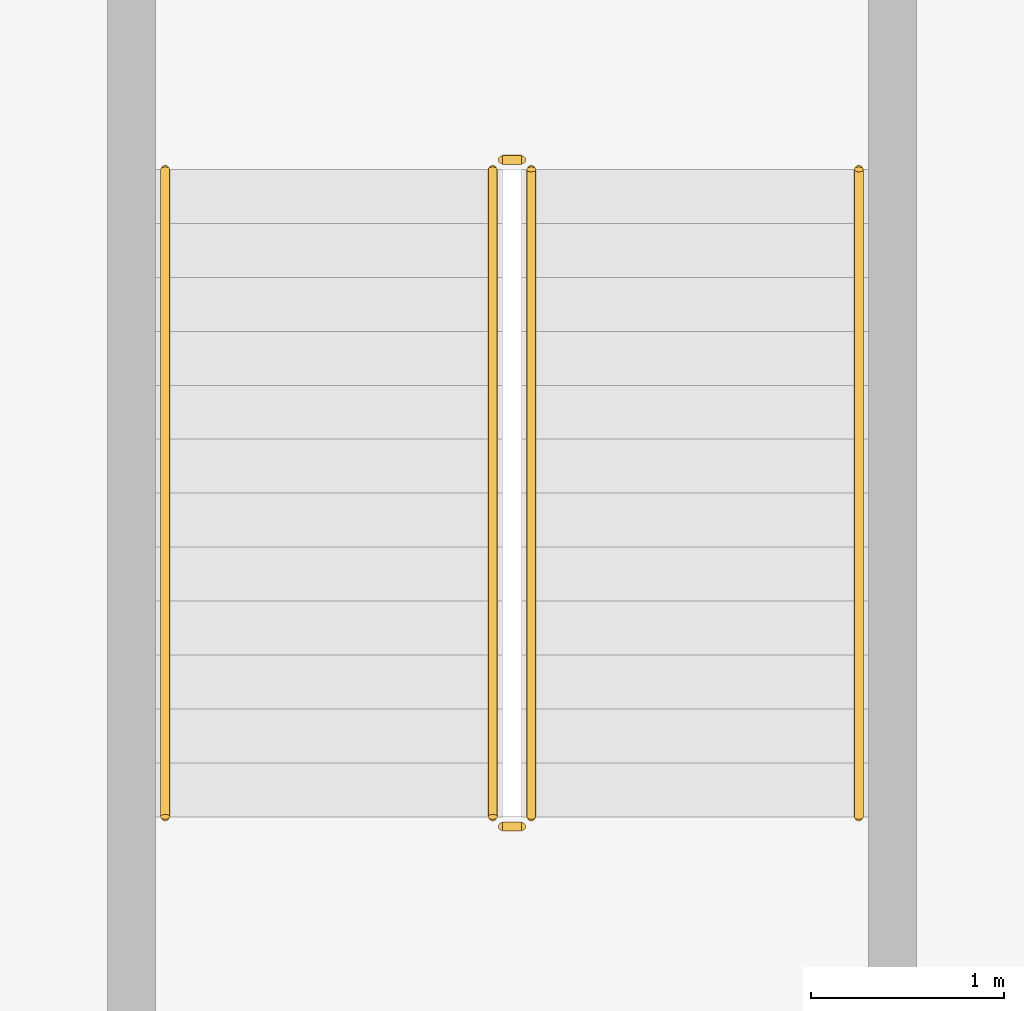
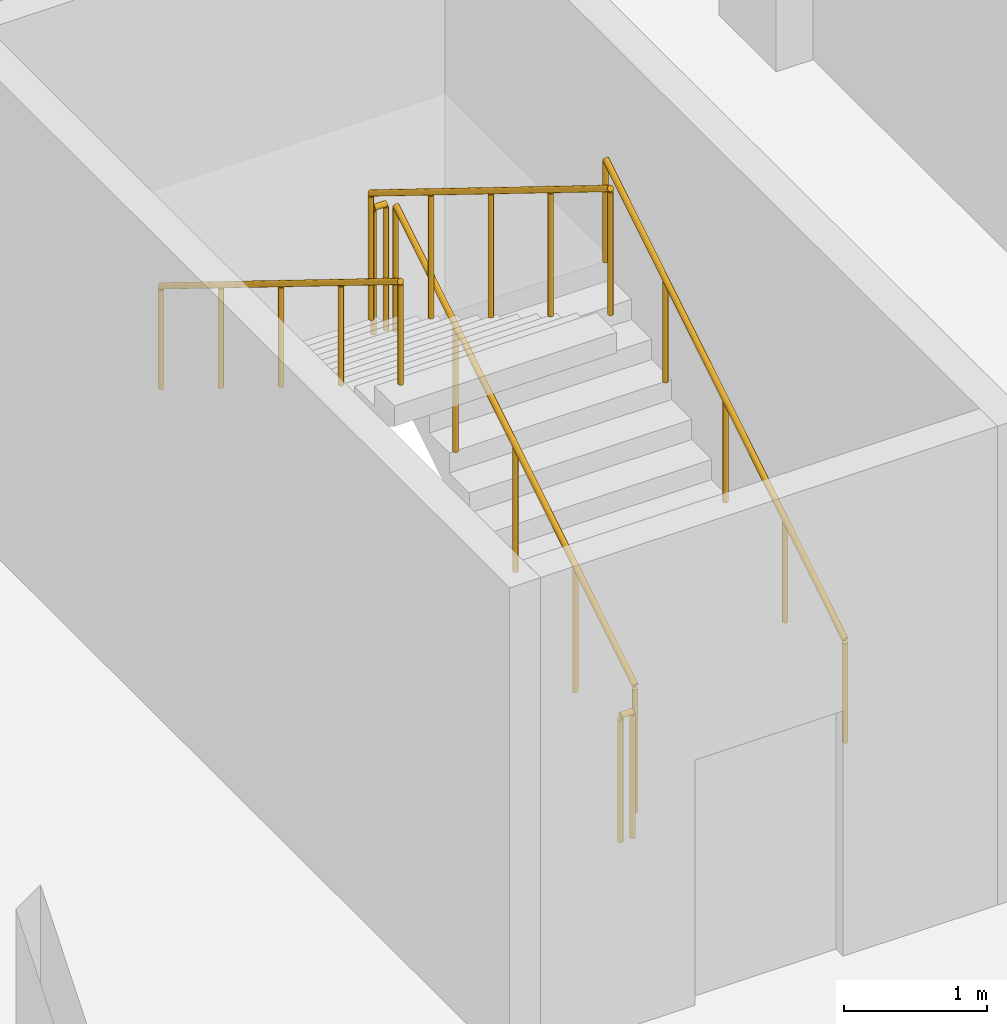
# One storey, part 37 of 38: 6 railings.
"""IFC4 building model written with IfcOpenShell, lengths in metres."""

from ifc_helpers import new_model, si_unit, direction, frame, origin, origin_2d, place, context, subcontext, project, spatial, circle, extrude, material, type_object, element, save


model = new_model("IFC4")

# Units and contexts
model_context = context("Model", 3, precision=1e-05, world=origin(), true_north=direction((0.0, 1.0)))
body_context = subcontext(model_context, "Body", "Model", "MODEL_VIEW")
ifc_project = project(units=[si_unit("LENGTHUNIT", "METRE"), si_unit("AREAUNIT", "SQUARE_METRE"), si_unit("VOLUMEUNIT", "CUBIC_METRE"), si_unit("PLANEANGLEUNIT", "RADIAN"), si_unit("MASSUNIT", "GRAM", prefix="KILO")], contexts=[model_context])

# Site, building, storey
site_placement = place(None, origin())
site = spatial("IfcSite", under=ifc_project, at=site_placement, CompositionType="ELEMENT")
building_placement = place(site_placement, origin())
building = spatial("IfcBuilding", under=site, at=building_placement, Name="Kilnfold Tower and Market Hall", CompositionType="ELEMENT")
storey_placement = place(building_placement, frame((0.0, 0.0, 9.0)))
storey = spatial("IfcBuildingStorey", under=building, at=storey_placement, Name="L01", CompositionType="ELEMENT", Elevation=9.0)

# Railings
ifc_material_1 = material(Name="Steel S355", Category="steel")
railing_type_1 = type_object("IfcRailingType", Name="HALL STAIR GUARD 1100", PredefinedType="GUARDRAIL", material=ifc_material_1)
railing_1_placement = place(storey_placement, frame((-12.550048828125, 46.699951171875, 0.173095703125)))
element("IfcRailing", 1, at=railing_1_placement, inside=storey, type_object=railing_type_1, Name="L01 MS4 stair guard 1", PredefinedType="GUARDRAIL", context=body_context, shape_type="SweptSolid", body=[
    extrude(circle(Radius=0.02392578125, at=origin_2d()), frame((0.0, 0.0, 1.076171875), z_axis=(0.0, 0.850623216509, 0.525775754039), x_axis=(-1.0, 0.0, 0.0)), (0.0, 0.0, 1.0), 3.9501953125),
    extrude(circle(Radius=0.02099609375, at=origin_2d()), origin(), (0.0, 0.0, 1.0), 1.052001953125),
    extrude(circle(Radius=0.02099609375, at=origin_2d()), frame((0.0, 0.840087890625, 0.519287109375)), (0.0, 0.0, 1.0), 1.052001953125),
    extrude(circle(Radius=0.02099609375, at=origin_2d()), frame((0.0, 1.68017578125, 1.03857421875)), (0.0, 0.0, 1.0), 1.052001953125),
    extrude(circle(Radius=0.02099609375, at=origin_2d()), frame((0.0, 2.52001953125, 1.5576171875)), (0.0, 0.0, 1.0), 1.052001953125),
    extrude(circle(Radius=0.02099609375, at=origin_2d()), frame((0.0, 3.360107421875, 2.076904296875)), (0.0, 0.0, 1.0), 1.052001953125),
])
railing_2_placement = place(storey_placement, frame((-12.60009765625, 50.110107421875, 2.25)))
element("IfcRailing", 2, at=railing_2_placement, inside=storey, type_object=railing_type_1, Name="L01 MS4 stair guard 2", PredefinedType="GUARDRAIL", context=body_context, shape_type="SweptSolid", body=[
    extrude(circle(Radius=0.02392578125, at=origin_2d()), frame((0.0, 0.0, 1.076171875), z_axis=(-1.0, 0.0, 0.0), x_axis=(0.0, -1.0, 0.0)), (0.0, 0.0, 1.0), 0.099853515625),
    extrude(circle(Radius=0.02099609375, at=origin_2d()), origin(), (0.0, 0.0, 1.0), 1.052001953125),
    extrude(circle(Radius=0.02099609375, at=origin_2d()), frame((-0.099853515625, 0.0, 0.0)), (0.0, 0.0, 1.0), 1.052001953125),
])
railing_3_placement = place(storey_placement, frame((-12.75, 50.06005859375, 2.423095703125)))
element("IfcRailing", 3, at=railing_3_placement, inside=storey, type_object=railing_type_1, Name="L01 MS4 stair guard 3", PredefinedType="GUARDRAIL", context=body_context, shape_type="SweptSolid", body=[
    extrude(circle(Radius=0.02392578125, at=origin_2d()), frame((0.0, 0.0, 1.076171875), z_axis=(0.0, -0.850623216509, 0.525775754039), x_axis=(1.0, 0.0, 0.0)), (0.0, 0.0, 1.0), 3.9501953125),
    extrude(circle(Radius=0.02099609375, at=origin_2d()), origin(), (0.0, 0.0, 1.0), 1.052001953125),
    extrude(circle(Radius=0.02099609375, at=origin_2d()), frame((0.0, -0.840087890625, 0.519287109375)), (0.0, 0.0, 1.0), 1.052001953125),
    extrude(circle(Radius=0.02099609375, at=origin_2d()), frame((0.0, -1.68017578125, 1.03857421875)), (0.0, 0.0, 1.0), 1.052001953125),
    extrude(circle(Radius=0.02099609375, at=origin_2d()), frame((0.0, -2.52001953125, 1.5576171875)), (0.0, 0.0, 1.0), 1.052001953125),
    extrude(circle(Radius=0.02099609375, at=origin_2d()), frame((0.0, -3.360107421875, 2.076904296875)), (0.0, 0.0, 1.0), 1.052001953125),
])
railing_4_placement = place(storey_placement, frame((-12.60009765625, 46.64990234375, 0.0)))
element("IfcRailing", 4, at=railing_4_placement, inside=storey, type_object=railing_type_1, Name="L01 MS4 stair guard 4", PredefinedType="GUARDRAIL", context=body_context, shape_type="SweptSolid", body=[
    extrude(circle(Radius=0.02392578125, at=origin_2d()), frame((0.0, 0.0, 1.076171875), z_axis=(-1.0, 0.0, 0.0), x_axis=(0.0, -1.0, 0.0)), (0.0, 0.0, 1.0), 0.099853515625),
    extrude(circle(Radius=0.02099609375, at=origin_2d()), origin(), (0.0, 0.0, 1.0), 1.052001953125),
    extrude(circle(Radius=0.02099609375, at=origin_2d()), frame((-0.099853515625, 0.0, 0.0)), (0.0, 0.0, 1.0), 1.052001953125),
])
ifc_material_2 = material(Name="Steel S355", Category="steel")
railing_type_2 = type_object("IfcRailingType", Name="HALL STAIR HANDRAIL", PredefinedType="HANDRAIL", material=ifc_material_2)
railing_5_placement = place(storey_placement, frame((-10.85009765625, 46.699951171875, 0.173095703125)))
element("IfcRailing", 5, at=railing_5_placement, inside=storey, type_object=railing_type_2, Name="L01 MS4 stair handrail 1", PredefinedType="HANDRAIL", context=body_context, shape_type="SweptSolid", body=[
    extrude(circle(Radius=0.02392578125, at=origin_2d()), frame((0.0, 0.0, 0.8759765625), z_axis=(0.0, 0.850623216509, 0.525775754039), x_axis=(-1.0, 0.0, 0.0)), (0.0, 0.0, 1.0), 3.9501953125),
    extrude(circle(Radius=0.02099609375, at=origin_2d()), origin(), (0.0, 0.0, 1.0), 0.851806640625),
    extrude(circle(Radius=0.02099609375, at=origin_2d()), frame((0.0, 0.840087890625, 0.519287109375)), (0.0, 0.0, 1.0), 0.851806640625),
    extrude(circle(Radius=0.02099609375, at=origin_2d()), frame((0.0, 1.68017578125, 1.03857421875)), (0.0, 0.0, 1.0), 0.851806640625),
    extrude(circle(Radius=0.02099609375, at=origin_2d()), frame((0.0, 2.52001953125, 1.5576171875)), (0.0, 0.0, 1.0), 0.851806640625),
    extrude(circle(Radius=0.02099609375, at=origin_2d()), frame((0.0, 3.360107421875, 2.076904296875)), (0.0, 0.0, 1.0), 0.851806640625),
])
railing_6_placement = place(storey_placement, frame((-14.449951171875, 50.06005859375, 2.423095703125)))
element("IfcRailing", 6, at=railing_6_placement, inside=storey, type_object=railing_type_2, Name="L01 MS4 stair handrail 2", PredefinedType="HANDRAIL", context=body_context, shape_type="SweptSolid", body=[
    extrude(circle(Radius=0.02392578125, at=origin_2d()), frame((0.0, 0.0, 0.8759765625), z_axis=(0.0, -0.850623216509, 0.525775754039), x_axis=(1.0, 0.0, 0.0)), (0.0, 0.0, 1.0), 3.9501953125),
    extrude(circle(Radius=0.02099609375, at=origin_2d()), origin(), (0.0, 0.0, 1.0), 0.851806640625),
    extrude(circle(Radius=0.02099609375, at=origin_2d()), frame((0.0, -0.840087890625, 0.519287109375)), (0.0, 0.0, 1.0), 0.851806640625),
    extrude(circle(Radius=0.02099609375, at=origin_2d()), frame((0.0, -1.68017578125, 1.03857421875)), (0.0, 0.0, 1.0), 0.851806640625),
    extrude(circle(Radius=0.02099609375, at=origin_2d()), frame((0.0, -2.52001953125, 1.5576171875)), (0.0, 0.0, 1.0), 0.851806640625),
    extrude(circle(Radius=0.02099609375, at=origin_2d()), frame((0.0, -3.360107421875, 2.076904296875)), (0.0, 0.0, 1.0), 0.851806640625),
])

save(model, "model.ifc")
